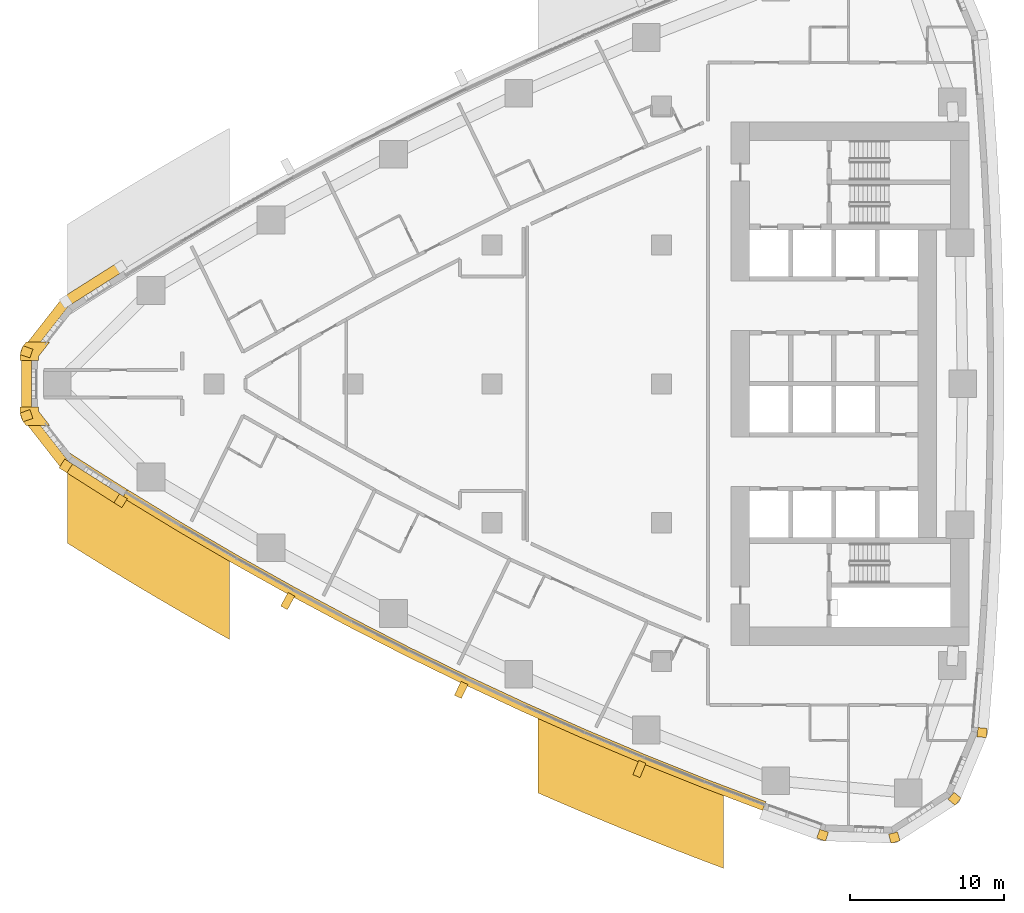
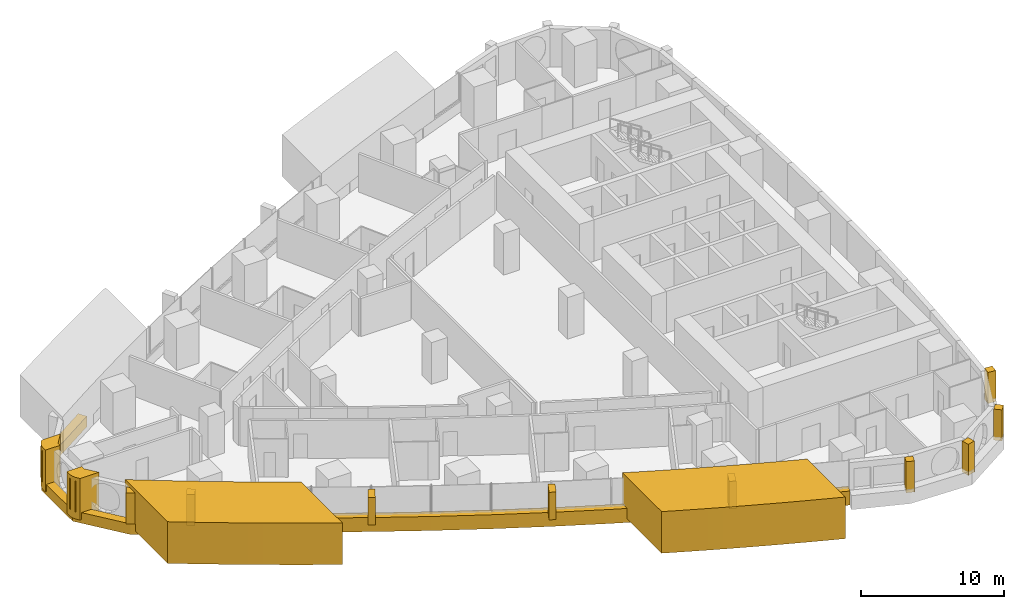
# One storey, part 15 of 19: 17 coverings.
"""IFC4 building model written with IfcOpenShell, lengths in metres."""

from ifc_helpers import new_model, si_unit, direction, frame, frame_2d, origin, place, context, subcontext, project, spatial, polyline, rectangle, outline, extrude, material, layer, layer_set, type_object, element, save


model = new_model("IFC4")

# Units and contexts
model_context = context("Model", 3, precision=1e-05, world=origin(), true_north=direction((0.0, 1.0)))
body_context = subcontext(model_context, "Body", "Model", "MODEL_VIEW")
ifc_project = project(units=[si_unit("LENGTHUNIT", "METRE"), si_unit("AREAUNIT", "SQUARE_METRE"), si_unit("VOLUMEUNIT", "CUBIC_METRE"), si_unit("PLANEANGLEUNIT", "RADIAN"), si_unit("MASSUNIT", "GRAM", prefix="KILO")], contexts=[model_context])

# Site, building, storey
site_placement = place(None, origin())
site = spatial("IfcSite", under=ifc_project, at=site_placement, CompositionType="ELEMENT")
building_placement = place(site_placement, origin())
building = spatial("IfcBuilding", under=site, at=building_placement, Name="Ostrand Prow Hotel Tower", CompositionType="ELEMENT")
storey_placement = place(building_placement, frame((0.0, 0.0, 60.89990234375)))
storey = spatial("IfcBuildingStorey", under=building, at=storey_placement, Name="L13", CompositionType="ELEMENT", Elevation=60.89990234375)

# Coverings
ifc_material_1 = material(Name="Bronze anodised aluminium cladding", Category="aluminium")
ifc_layer_1 = layer(ifc_material_1, 0.60009765625)
ifc_layer_set_1 = layer_set([ifc_layer_1], Name="Bronze anodised aluminium cladding")
covering_type_1 = type_object("IfcCoveringType", Name="Bronze prow band 899x600", PredefinedType="CLADDING", material=ifc_layer_set_1)
covering_1_placement = place(storey_placement, frame((0.0, 0.0, -0.2998046875)))
element("IfcCovering", 1, at=covering_1_placement, inside=storey, type_object=covering_type_1, Name="Bronze prow band", PredefinedType="CLADDING", context=body_context, shape_type="SweptSolid", body=[
    extrude(outline(polyline([(9.77734375, 7.864013671875), (6.2197265625, 5.6083984375), (3.53369140625, 2.178466796875), (3.53369140625, -2.178466796875), (6.2197265625, -5.6083984375), (9.77734375, -7.864013671875), (10.13623046875, -7.286376953125), (6.589111328125, -5.03759765625), (4.176513671875, -1.95654296875), (4.176513671875, 1.95654296875), (6.589111328125, 5.03759765625), (10.13623046875, 7.286376953125), (9.77734375, 7.864013671875)])), origin(), (0.0, 0.0, 1.0), 0.89990234375),
])
ifc_material_2 = material(Name="Bronze anodised aluminium cladding", Category="aluminium")
ifc_layer_2 = layer(ifc_material_2, 0.60009765625)
ifc_layer_set_2 = layer_set([ifc_layer_2], Name="Bronze anodised aluminium cladding")
covering_type_2 = type_object("IfcCoveringType", Name="Bronze spandrel band 1200x600", PredefinedType="CLADDING", material=ifc_layer_set_2)
covering_2_placement = place(storey_placement, frame((0.0, 0.0, -0.2998046875)))
element("IfcCovering", 2, at=covering_2_placement, inside=storey, type_object=covering_type_2, Name="Spandrel band S1", PredefinedType="CLADDING", context=body_context, shape_type="SweptSolid", body=[
    extrude(outline(polyline([(10.08349609375, -7.371337890625), (13.672607421875, -9.555419921875), (17.301513671875, -11.673095703125), (20.968994140625, -13.723876953125), (24.673095703125, -15.70654296875), (28.413330078125, -17.62060546875), (32.188232421875, -19.4658203125), (35.996337890625, -21.2412109375), (39.83642578125, -22.946044921875), (43.70751953125, -24.580078125), (47.607666015625, -26.142578125), (51.5361328125, -27.6328125), (51.743896484375, -27.070068359375), (47.82568359375, -25.58349609375), (43.935791015625, -24.025146484375), (40.074951171875, -22.3955078125), (36.244873046875, -20.695068359375), (32.44677734375, -18.92431640625), (28.681884765625, -17.083984375), (24.951416015625, -15.1748046875), (21.2568359375, -13.197509765625), (17.59912109375, -11.152099609375), (13.97998046875, -9.0400390625), (10.39990234375, -6.86181640625), (10.08349609375, -7.371337890625)])), origin(), (0.0, 0.0, 1.0), 1.199951171875),
])
ifc_material_3 = material(Name="Limestone cladding", Category="masonry")
ifc_layer_3 = layer(ifc_material_3, 5.0)
ifc_layer_set_3 = layer_set([ifc_layer_3], Name="Limestone cladding")
covering_type_3 = type_object("IfcCoveringType", Name="Portal jamb pilaster limestone", PredefinedType="CLADDING", material=ifc_layer_set_3)
covering_3_placement = place(storey_placement, origin())
element("IfcCovering", 3, at=covering_3_placement, inside=storey, type_object=covering_type_3, Name="Portal jamb SA L13", PredefinedType="CLADDING", context=body_context, shape_type="SweptSolid", body=[
    extrude(outline(polyline([(6.5, -4.3837890625), (6.5, -10.319580078125), (7.45458984375, -10.917724609375), (8.4091796875, -11.509521484375), (9.363525390625, -12.09521484375), (10.318115234375, -12.67431640625), (11.272705078125, -13.247314453125), (12.227294921875, -13.81396484375), (13.181884765625, -14.37451171875), (14.136474609375, -14.92919921875), (15.0908203125, -15.4775390625), (16.04541015625, -16.020263671875), (17.0, -16.556640625), (17.0, -10.80859375), (16.04541015625, -10.25634765625), (15.0908203125, -9.697998046875), (14.136474609375, -9.13330078125), (13.181884765625, -8.562255859375), (12.227294921875, -7.98486328125), (11.272705078125, -7.401123046875), (10.318115234375, -6.810791015625), (9.363525390625, -6.214111328125), (8.4091796875, -5.610595703125), (7.45458984375, -5.00048828125), (6.5, -4.3837890625)])), origin(), (0.0, 0.0, 1.0), 3.550048828125),
])
covering_4_placement = place(storey_placement, origin())
element("IfcCovering", 4, at=covering_4_placement, inside=storey, type_object=covering_type_3, Name="Portal jamb SB L13", PredefinedType="CLADDING", context=body_context, shape_type="SweptSolid", body=[
    extrude(outline(polyline([(37.0, -21.037109375), (37.0, -26.50927734375), (38.0, -26.945556640625), (39.0, -27.376220703125), (40.0, -27.801513671875), (41.0, -28.22119140625), (42.0, -28.635498046875), (43.0, -29.044189453125), (44.0, -29.447509765625), (45.0, -29.845703125), (46.0, -30.23828125), (47.0, -30.62548828125), (48.0, -31.0078125), (49.0, -31.384521484375), (49.0, -26.03759765625), (48.0, -25.6513671875), (47.0, -25.259765625), (46.0, -24.862548828125), (45.0, -24.459716796875), (44.0, -24.051513671875), (43.0, -23.637939453125), (42.0, -23.218505859375), (41.0, -22.793701171875), (40.0, -22.363037109375), (39.0, -21.9267578125), (38.0, -21.484619140625), (37.0, -21.037109375)])), origin(), (0.0, 0.0, 1.0), 3.550048828125),
])
ifc_material_4 = material(Name="Limestone cladding", Category="masonry")
ifc_layer_4 = layer(ifc_material_4, 0.5)
ifc_layer_set_4 = layer_set([ifc_layer_4], Name="Limestone cladding")
covering_type_4 = type_object("IfcCoveringType", Name="Precast stone fin 500x900", PredefinedType="CLADDING", material=ifc_layer_set_4)
for number, where, z_axis, x_axis, name in (
    (5, (21.016845703125, -13.635986328125, 0.900146484375), (0.0, 0.0, 1.0), (-0.480014960696, -0.877260302025, 0.0), "Stone fin S 4"),
    (6, (32.231201171875, -19.37548828125, 0.900146484375), (0.0, 0.0, 1.0), (-0.430634686673, -0.902526324621, 0.0), "Stone fin S 7"),
    (7, (43.74560546875, -24.487548828125, 0.900146484375), (0.0, 0.0, 1.0), (-0.380590179681, -0.924743810539, 0.0), "Stone fin S 10"),
):
    element("IfcCovering", number, at=place(storey_placement, frame(where, z_axis=z_axis, x_axis=x_axis)), inside=storey, type_object=covering_type_4, Name=name, PredefinedType="CLADDING", context=body_context, shape_type="SweptSolid", body=[
        extrude(rectangle(XDim=1.0, YDim=0.5, at=frame_2d((0.5, 0.0))), origin(), (0.0, 0.0, 1.0), 2.349853515625),
    ])
ifc_material_5 = material(Name="Limestone cladding", Category="masonry")
ifc_layer_5 = layer(ifc_material_5, 0.60009765625)
ifc_layer_set_5 = layer_set([ifc_layer_5], Name="Limestone cladding")
covering_type_5 = type_object("IfcCoveringType", Name="Precast stone prow rib 600x600", PredefinedType="CLADDING", material=ifc_layer_set_5)
for number, where, z_axis, x_axis, name in (
    (8, (4.176513671875, 1.95654296875, 0.60009765625), (0.0, 0.0, 1.0), (-0.945254650653, 0.326333641262, 0.0), "Stone prow rib 3"),
    (9, (4.176513671875, -1.95654296875, 0.60009765625), (0.0, 0.0, 1.0), (-0.945254650653, -0.326333641262, 0.0), "Stone prow rib 4"),
    (10, (6.589111328125, -5.03759765625, 0.60009765625), (0.0, 0.0, 1.0), (-0.543295944087, -0.839541253983, 0.0), "Stone prow rib 5"),
    (11, (10.13623046875, -7.286376953125, 0.60009765625), (0.0, 0.0, 1.0), (-0.527738148304, -0.849407114889, 0.0), "Stone prow rib 6"),
):
    element("IfcCovering", number, at=place(storey_placement, frame(where, z_axis=z_axis, x_axis=x_axis)), inside=storey, type_object=covering_type_5, Name=name, PredefinedType="CLADDING", context=body_context, shape_type="SweptSolid", body=[
        extrude(rectangle(XDim=0.679931640625, YDim=0.60009765625, at=frame_2d((0.33984375, 0.0))), origin(), (0.0, 0.0, 1.0), 2.64990234375),
    ])
for number, where, z_axis, x_axis, name in (
    (12, (55.524169921875, -28.956298828125, 0.60009765625), (0.0, 0.0, 1.0), (-0.328773122904, -0.94440893349, 0.0), "Stone corner rib 2a"),
    (13, (59.98681640625, -29.1025390625, 0.60009765625), (0.0, 0.0, 1.0), (0.266111535611, -0.963942244439, 0.0), "Stone corner rib 3a"),
    (14, (63.74169921875, -26.6865234375, 0.60009765625), (0.0, 0.0, 1.0), (0.766985844654, -0.641664019639, 0.0), "Stone corner rib 4a"),
    (15, (65.4580078125, -22.564453125, 0.60009765625), (0.0, 0.0, 1.0), (0.995724747837, -0.09237005221, 0.0), "Stone corner rib 4b"),
):
    element("IfcCovering", number, at=place(storey_placement, frame(where, z_axis=z_axis, x_axis=x_axis)), inside=storey, type_object=covering_type_5, Name=name, PredefinedType="CLADDING", context=body_context, shape_type="SweptSolid", body=[
        extrude(rectangle(XDim=0.60009765625, YDim=0.60009765625, at=frame_2d((0.300048828125, 0.0))), origin(), (0.0, 0.0, 1.0), 2.64990234375),
    ])
ifc_material_6 = material(Name="Limestone cladding", Category="masonry")
ifc_layer_6 = layer(ifc_material_6, 3.0)
ifc_layer_set_6 = layer_set([ifc_layer_6], Name="Limestone cladding")
covering_type_6 = type_object("IfcCoveringType", Name="Prow nose pier limestone", PredefinedType="CLADDING", material=ifc_layer_set_6)
covering_5_placement = place(storey_placement, origin())
element("IfcCovering", 16, at=covering_5_placement, inside=storey, type_object=covering_type_6, Name="Prow spine fin N L13", PredefinedType="CLADDING", context=body_context, shape_type="SweptSolid", body=[
    extrude(outline(polyline([(3.44921875, 1.793701171875), (3.44921875, 1.5), (4.649169921875, 1.5), (4.649169921875, 1.793701171875), (5.35888671875, 2.699951171875), (3.834716796875, 2.699951171875), (3.704345703125, 2.533447265625), (3.638427734375, 2.440673828125), (3.581787109375, 2.341796875), (3.53466796875, 2.23828125), (3.49755859375, 2.130615234375), (3.470703125, 2.02001953125), (3.45458984375, 1.9072265625), (3.44921875, 1.793701171875)])), origin(), (0.0, 0.0, 1.0), 3.550048828125),
])
covering_6_placement = place(storey_placement, origin())
element("IfcCovering", 17, at=covering_6_placement, inside=storey, type_object=covering_type_6, Name="Prow spine fin S L13", PredefinedType="CLADDING", context=body_context, shape_type="SweptSolid", body=[
    extrude(outline(polyline([(3.704345703125, -2.533447265625), (3.834716796875, -2.699951171875), (5.35888671875, -2.699951171875), (4.649169921875, -1.793701171875), (4.649169921875, -1.5), (3.44921875, -1.5), (3.44921875, -1.793701171875), (3.45458984375, -1.9072265625), (3.470703125, -2.02001953125), (3.49755859375, -2.130615234375), (3.53466796875, -2.23828125), (3.581787109375, -2.341796875), (3.638427734375, -2.440673828125), (3.704345703125, -2.533447265625)])), origin(), (0.0, 0.0, 1.0), 3.550048828125),
])

save(model, "model.ifc")
